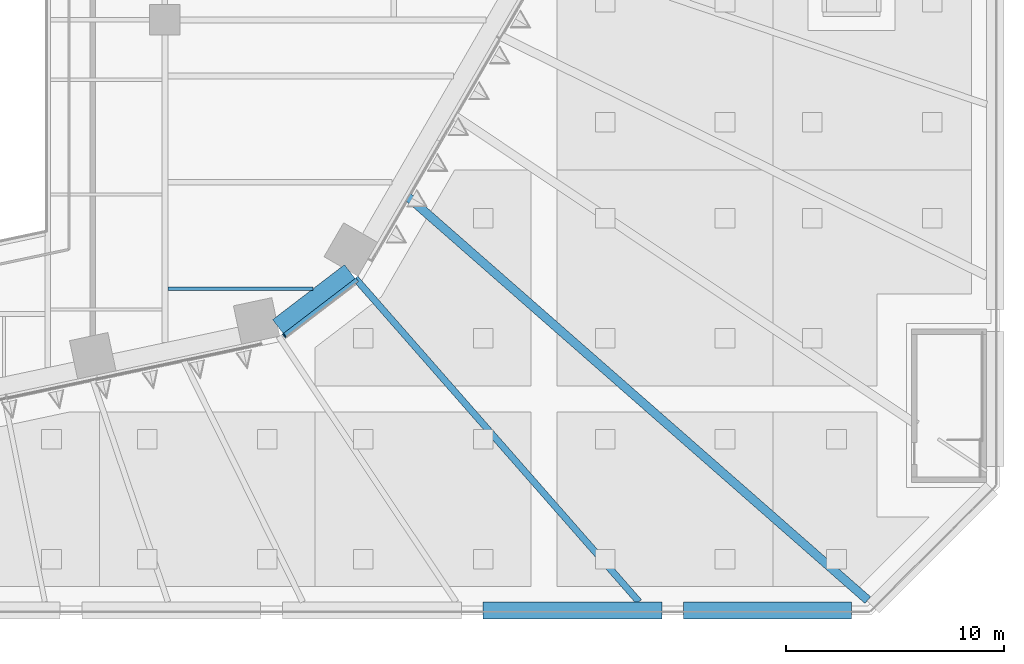
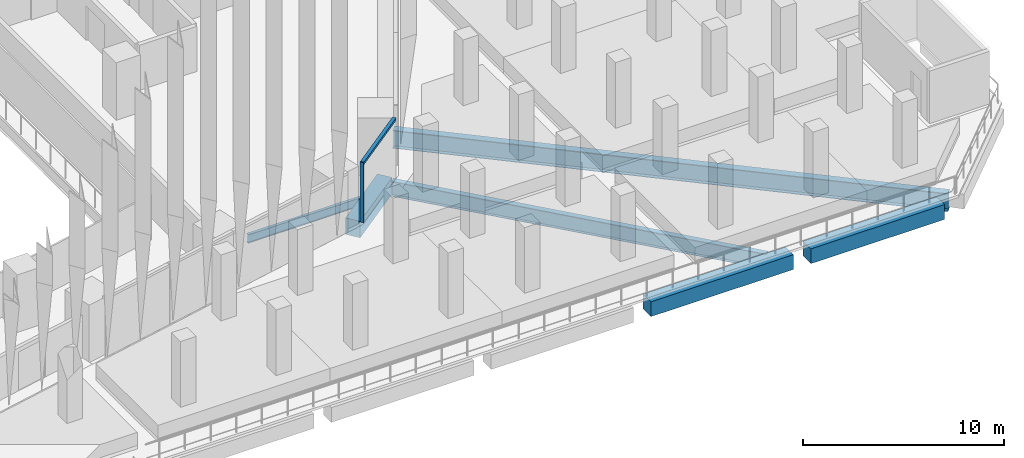
# One storey, part 10 of 51: 6 beams, 2 members, 1 element without a shape of its own.
"""IFC4 building model written with IfcOpenShell, lengths in metres."""

from ifc_helpers import new_model, si_unit, direction, frame, origin, origin_2d, place, context, subcontext, project, spatial, rectangle, i_section, extrude, material, layer, layer_set, material_profile, profile_set, type_object, element, aggregate, save


model = new_model("IFC4")

# Units and contexts
model_context = context("Model", 3, precision=1e-05, world=origin(), true_north=direction((0.0, 1.0)))
body_context = subcontext(model_context, "Body", "Model", "MODEL_VIEW")
ifc_project = project(units=[si_unit("LENGTHUNIT", "METRE"), si_unit("AREAUNIT", "SQUARE_METRE"), si_unit("VOLUMEUNIT", "CUBIC_METRE"), si_unit("PLANEANGLEUNIT", "RADIAN"), si_unit("MASSUNIT", "GRAM", prefix="KILO")], contexts=[model_context])

# Site, building, storey
site_placement = place(None, origin())
site = spatial("IfcSite", under=ifc_project, at=site_placement, CompositionType="ELEMENT")
building_placement = place(site_placement, origin())
building = spatial("IfcBuilding", under=site, at=building_placement, Name="Isthmus Gate Tower", CompositionType="ELEMENT")
storey_placement = place(building_placement, frame((0.0, 0.0, 36.0)))
storey = spatial("IfcBuildingStorey", under=building, at=storey_placement, Name="L06", CompositionType="ELEMENT", Elevation=36.0)

# Curtain wall, members
ifc_material_1 = material(Name="Aluminium, pale champagne anodised", Category="aluminium")
ifc_layer = layer(ifc_material_1, 0.199951171875)
ifc_layer_set = layer_set([ifc_layer], Name="CW-1 UNITISED CURTAIN WALL 200 DEEP")
curtain_wall_type = type_object("IfcCurtainWallType", Name="CW-1 UNITISED CURTAIN WALL 200 DEEP", PredefinedType="NOTDEFINED", material=ifc_layer_set)
curtain_wall_placement = place(storey_placement, origin())
curtain_wall = element("IfcCurtainWall", 1, at=curtain_wall_placement, inside=storey, type_object=curtain_wall_type, Name="CW-1 S-SE L06", PredefinedType="NOTDEFINED")
ifc_material_2 = material(Name="Aluminium, pale champagne anodised", Category="aluminium")
ifc_material_profile_1 = material_profile(ifc_material_2, rectangle(XDim=0.06005859375, YDim=0.199951171875, at=origin_2d()), Name="60x200")
ifc_profile_set_1 = profile_set([ifc_material_profile_1], Name="Aluminium, pale champagne anodised")
member_type_1 = type_object("IfcMemberType", Name="CW-1 MULLION 60 X 200", PredefinedType="MULLION", material=ifc_profile_set_1)
member_1_placement = place(storey_placement, frame((18.978759765625, -27.982421875, 0.0), z_axis=(0.0, 0.0, 1.0), x_axis=(0.794188594387, 0.607671355706, 0.0)))
member_1 = element("IfcMember", 2, at=member_1_placement, type_object=member_type_1, Name="CW-1 mullion", PredefinedType="MULLION", context=body_context, shape_type="SweptSolid", body=[
    extrude(rectangle(XDim=0.06005859375, YDim=0.199951171875, at=origin_2d()), origin(), (0.0, 0.0, 1.0), 3.64990234375),
])
ifc_material_3 = material(Name="Aluminium, pale champagne anodised", Category="aluminium")
ifc_material_profile_2 = material_profile(ifc_material_3, rectangle(XDim=0.199951171875, YDim=0.14990234375, at=origin_2d()), Name="200x150")
ifc_profile_set_2 = profile_set([ifc_material_profile_2], Name="Aluminium, pale champagne anodised")
member_type_2 = type_object("IfcMemberType", Name="CW-1 TRANSOM 200 X 150", PredefinedType="USERDEFINED", material=ifc_profile_set_2)
member_2_placement = place(storey_placement, frame((19.002685546875, -27.96435546875, 3.574951171875), z_axis=(0.794175498212, 0.607688471209, 0.0), x_axis=(-0.607688471209, 0.794175498212, 0.0)))
member_2 = element("IfcMember", 3, at=member_2_placement, type_object=member_type_2, Name="CW-1 transom", ObjectType="TRANSOM", PredefinedType="USERDEFINED", context=body_context, shape_type="SweptSolid", body=[
    extrude(rectangle(XDim=0.199951171875, YDim=0.14990234375, at=origin_2d()), origin(), (0.0, 0.0, 1.0), 4.181396484375),
])
aggregate(curtain_wall, [member_1, member_2])

# Beams
ifc_material_4 = material(Name="Concrete f'c 70 MPa", Category="concrete")
ifc_material_profile_3 = material_profile(ifc_material_4, rectangle(XDim=0.800048828125, YDim=0.89990234375, at=origin_2d()), Name="RC 800X900")
ifc_profile_set_3 = profile_set([ifc_material_profile_3], Name="Concrete f'c 70 MPa")
beam_type_1 = type_object("IfcBeamType", Name="RC EDGE BEAM 800 X 900", PredefinedType="BEAM", material=ifc_profile_set_3)
beam_1_placement = place(storey_placement, frame((45.0, -40.60009765625, -0.60009765625), z_axis=(-1.0, 0.0, 0.0), x_axis=(0.0, -1.0, 0.0)))
element("IfcBeam", 4, at=beam_1_placement, inside=storey, type_object=beam_type_1, Name="str-edgebeam-L06-28", PredefinedType="BEAM", context=body_context, shape_type="SweptSolid", body=[
    extrude(rectangle(XDim=0.800048828125, YDim=0.89990234375, at=origin_2d()), origin(), (0.0, 0.0, 1.0), 7.699951171875),
])
beam_2_placement = place(storey_placement, frame((36.300048828125, -40.60009765625, -0.60009765625), z_axis=(-1.0, 0.0, 0.0), x_axis=(0.0, -1.0, 0.0)))
element("IfcBeam", 5, at=beam_2_placement, inside=storey, type_object=beam_type_1, Name="str-edgebeam-L06-29", PredefinedType="BEAM", context=body_context, shape_type="SweptSolid", body=[
    extrude(rectangle(XDim=0.800048828125, YDim=0.89990234375, at=origin_2d()), origin(), (0.0, 0.0, 1.0), 8.199951171875),
])
ifc_material_5 = material(Name="Concrete f'c 70 MPa", Category="concrete")
ifc_material_profile_4 = material_profile(ifc_material_5, rectangle(XDim=0.800048828125, YDim=1.0, at=origin_2d()), Name="RC 800X1000")
ifc_profile_set_4 = profile_set([ifc_material_profile_4], Name="Concrete f'c 70 MPa")
beam_type_2 = type_object("IfcBeamType", Name="RC SPANDREL 800 X 1000", PredefinedType="SPANDREL", material=ifc_profile_set_4)
beam_3_placement = place(storey_placement, frame((21.98681640625, -25.051513671875, -0.5), z_axis=(-0.794205941875, -0.607648682949, 0.0), x_axis=(0.607648682949, -0.794205941875, 0.0)))
element("IfcBeam", 6, at=beam_3_placement, inside=storey, type_object=beam_type_2, Name="str-spandrel-L06-09", PredefinedType="SPANDREL", context=body_context, shape_type="SweptSolid", body=[
    extrude(rectangle(XDim=0.800048828125, YDim=1.0, at=origin_2d()), origin(), (0.0, 0.0, 1.0), 4.15234375),
])
ifc_material_6 = material(Name="Structural steel ASTM A992 Gr 50", Category="steel")
ifc_material_profile_5 = material_profile(ifc_material_6, i_section(OverallWidth=0.1650390625, OverallDepth=0.52392578125, WebThickness=0.009521484375, FlangeThickness=0.010986328125, at=origin_2d()), Name="W21X44")
ifc_profile_set_5 = profile_set([ifc_material_profile_5], Name="Structural steel ASTM A992 Gr 50")
beam_type_3 = type_object("IfcBeamType", Name="STEEL FLOOR BEAM W21X44", PredefinedType="JOIST", material=ifc_profile_set_5)
beam_4_placement = place(storey_placement, frame((13.63330078125, -25.842529296875, -0.411865234375), z_axis=(1.0, 0.0, 0.0), x_axis=(0.0, 1.0, 0.0)))
element("IfcBeam", 7, at=beam_4_placement, inside=storey, type_object=beam_type_3, Name="str-beam-L06-28-00", PredefinedType="JOIST", context=body_context, shape_type="SweptSolid", body=[
    extrude(i_section(OverallWidth=0.1650390625, OverallDepth=0.52392578125, WebThickness=0.009521484375, FlangeThickness=0.010986328125, at=origin_2d()), origin(), (0.0, 0.0, 1.0), 6.661376953125),
])
ifc_material_7 = material(Name="Structural steel ASTM A992 Gr 50", Category="steel")
ifc_material_profile_6 = material_profile(ifc_material_7, i_section(OverallWidth=0.3046875, OverallDepth=0.914306640625, WebThickness=0.015869140625, FlangeThickness=0.025390625, at=origin_2d()), Name="W36X160")
ifc_profile_set_6 = profile_set([ifc_material_profile_6], Name="Structural steel ASTM A992 Gr 50")
beam_type_4 = type_object("IfcBeamType", Name="STEEL LEDGE BEAM W36X160", PredefinedType="JOIST", material=ifc_profile_set_6)
beam_5_placement = place(storey_placement, frame((22.24072265625, -25.36083984375, -0.607177734375), z_axis=(0.659349266403, -0.751836780753, 0.0), x_axis=(0.751836780753, 0.659349266403, 0.0)))
element("IfcBeam", 8, at=beam_5_placement, inside=storey, type_object=beam_type_4, Name="str-ringbeam-L06-00-42", PredefinedType="JOIST", context=body_context, shape_type="SweptSolid", body=[
    extrude(i_section(OverallWidth=0.3046875, OverallDepth=0.914306640625, WebThickness=0.015869140625, FlangeThickness=0.025390625, at=origin_2d()), origin(), (0.0, 0.0, 1.0), 19.737060546875),
])
ifc_material_8 = material(Name="Structural steel ASTM A992 Gr 50", Category="steel")
ifc_material_profile_7 = material_profile(ifc_material_8, i_section(OverallWidth=0.39990234375, OverallDepth=1.089111328125, WebThickness=0.017578125, FlangeThickness=0.03173828125, at=origin_2d()), Name="W44X230")
ifc_profile_set_7 = profile_set([ifc_material_profile_7], Name="Structural steel ASTM A992 Gr 50")
beam_type_5 = type_object("IfcBeamType", Name="STEEL LEDGE BEAM W44X230", PredefinedType="JOIST", material=ifc_profile_set_7)
beam_6_placement = place(storey_placement, frame((24.5302734375, -21.512451171875, -0.694580078125), z_axis=(0.751836151258, -0.659349984197, 0.0), x_axis=(0.659349984197, 0.751836151258, 0.0)))
element("IfcBeam", 9, at=beam_6_placement, inside=storey, type_object=beam_type_5, Name="str-ringbeam-L06-00-43", PredefinedType="JOIST", context=body_context, shape_type="SweptSolid", body=[
    extrude(i_section(OverallWidth=0.39990234375, OverallDepth=1.089111328125, WebThickness=0.017578125, FlangeThickness=0.03173828125, at=origin_2d()), origin(), (0.0, 0.0, 1.0), 28.2216796875),
])

save(model, "model.ifc")
